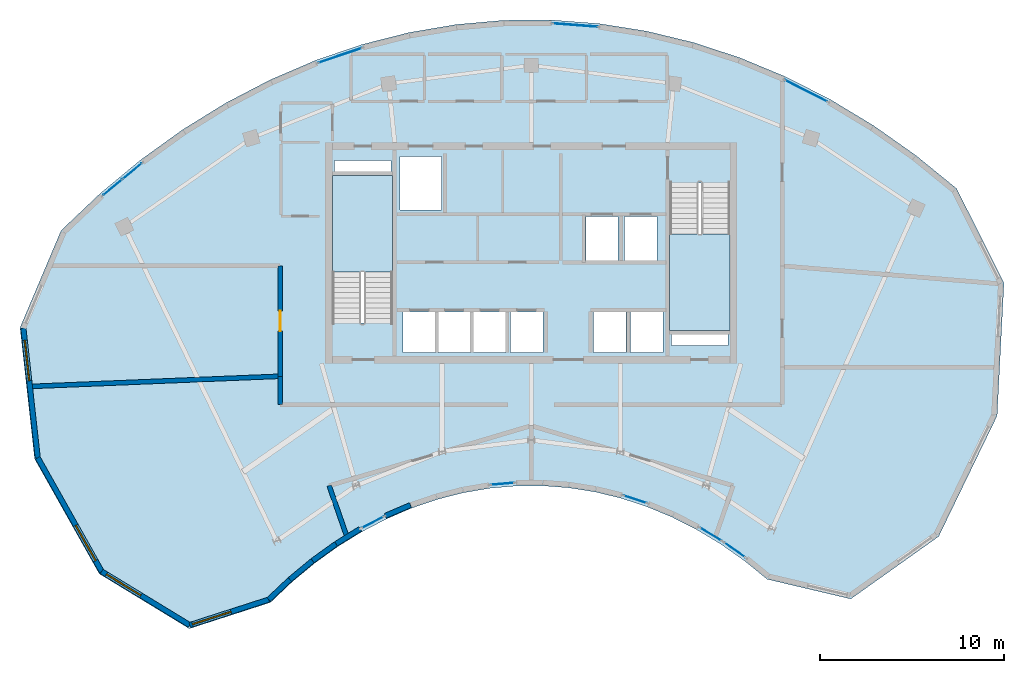
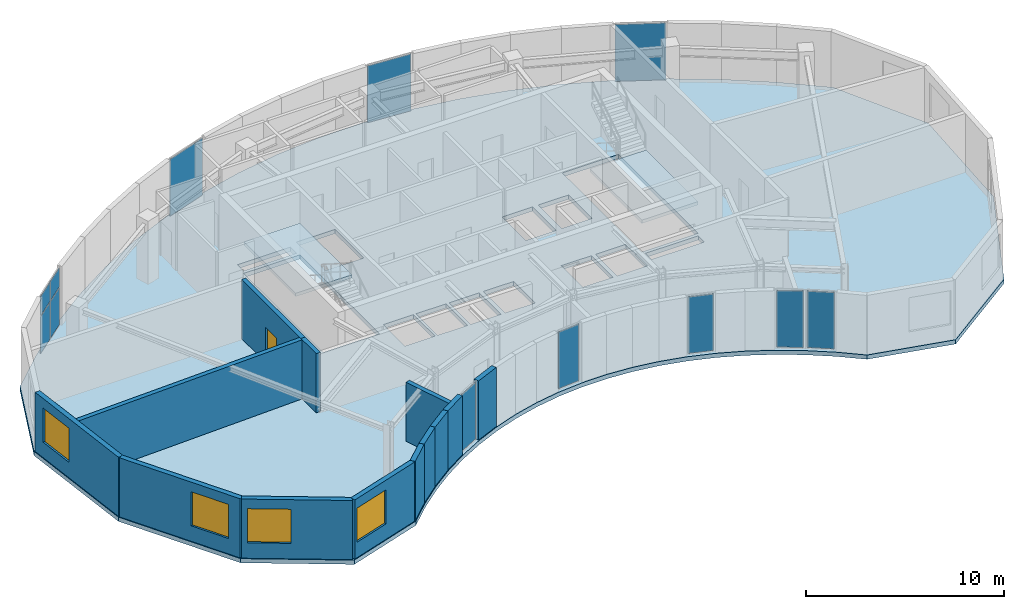
# One storey, part 4 of 9: 13 walls, 12 plates, 4 windows, 3 slabs, 1 door, 5 openings, 11 elements without a shape of their own.
"""IFC4 building model written with IfcOpenShell, lengths in metres."""

from ifc_helpers import new_model, si_unit, direction, frame, frame_2d, origin, origin_2d, place, context, subcontext, project, spatial, polyline, rectangle, outline, extrude, source, transform, mapped, material, layer, layer_set, type_object, type_shapes, element, fill, aggregate, save


model = new_model("IFC4")

# Units and contexts
model_context = context("Model", 3, precision=1e-05, world=origin(), true_north=direction((0.0, 1.0)))
body_context = subcontext(model_context, "Body", "Model", "MODEL_VIEW")
ifc_project = project(units=[si_unit("LENGTHUNIT", "METRE"), si_unit("AREAUNIT", "SQUARE_METRE"), si_unit("VOLUMEUNIT", "CUBIC_METRE"), si_unit("PLANEANGLEUNIT", "RADIAN"), si_unit("MASSUNIT", "GRAM", prefix="KILO")], contexts=[model_context])

# Site, building, storey
site_placement = place(None, origin())
site = spatial("IfcSite", under=ifc_project, at=site_placement, CompositionType="ELEMENT")
building_placement = place(site_placement, origin())
building = spatial("IfcBuilding", under=site, at=building_placement, Name="Breltana Convention Tower", CompositionType="ELEMENT")
storey_placement = place(building_placement, frame((0.0, 0.0, 295.199951171875)))
storey = spatial("IfcBuildingStorey", under=building, at=storey_placement, Name="L72", CompositionType="ELEMENT", Elevation=295.199951171875)

# Stair, slab
ifc_material_1 = material(Name="Concrete C40/50", Category="concrete")
stair_type = type_object("IfcStairType", Name="ST-DOG-1560-R177", PredefinedType="HALF_TURN_STAIR", material=ifc_material_1)
stair_1_placement = place(storey_placement, origin())
stair_1 = element("IfcStair", 1, at=stair_1_placement, inside=storey, type_object=stair_type, Name="L72 Protected Core Exit Stair ST-1", PredefinedType="HALF_TURN_STAIR")
ifc_layer_1 = layer(ifc_material_1, 0.199951171875, Name="Concrete C40/50")
ifc_layer_set_1 = layer_set([ifc_layer_1], Name="Concrete C40/50")
slab_type_1 = type_object("IfcSlabType", Name="SL-STAIR-LANDING-200", PredefinedType="LANDING", material=ifc_layer_set_1)
slab_1_placement = place(storey_placement, frame((0.0, 0.0, 1.75)))
slab_1 = element("IfcSlab", 2, at=slab_1_placement, type_object=slab_type_1, Name="ST-1 landing 1", PredefinedType="LANDING", context=body_context, shape_type="SweptSolid", body=[
    extrude(outline(polyline([(40.469970703125, 65.159912109375), (40.469970703125, 70.39990234375), (37.199951171875, 70.39990234375), (37.199951171875, 65.159912109375), (40.469970703125, 65.159912109375)])), origin(), (0.0, 0.0, 1.0), 0.199951171875),
])
aggregate(stair_1, [slab_1])

stair_2_placement = place(storey_placement, origin())
stair_2 = element("IfcStair", 3, at=stair_2_placement, inside=storey, type_object=stair_type, Name="L72 Protected Core Exit Stair ST-2", PredefinedType="HALF_TURN_STAIR")
slab_2_placement = place(storey_placement, frame((0.0, 0.0, 1.75)))
slab_2 = element("IfcSlab", 4, at=slab_2_placement, type_object=slab_type_1, Name="ST-2 landing 1", PredefinedType="LANDING", context=body_context, shape_type="SweptSolid", body=[
    extrude(outline(polyline([(55.530029296875, 67.239990234375), (55.530029296875, 62.0), (58.800048828125, 62.0), (58.800048828125, 67.239990234375), (55.530029296875, 67.239990234375)])), origin(), (0.0, 0.0, 1.0), 0.199951171875),
])
aggregate(stair_2, [slab_2])

# Slab
ifc_layer_2 = layer(ifc_material_1, 0.260009765625, Name="Concrete C40/50")
ifc_layer_set_2 = layer_set([ifc_layer_2], Name="Concrete C40/50")
slab_type_2 = type_object("IfcSlabType", Name="SL-UPP-260", PredefinedType="FLOOR", material=ifc_layer_set_2)
slab_3_placement = place(storey_placement, frame((0.0, 0.0, -0.260009765625)))
element("IfcSlab", 5, at=slab_3_placement, inside=storey, type_object=slab_type_2, Name="L72 Suspended Structural Floor Slab", PredefinedType="FLOOR", context=body_context, shape_type="SweptSolid", body=[
    extrude(outline(polyline([(71.119873046875, 69.7060546875), (68.9033203125, 71.50830078125), (66.60888671875, 73.126220703125), (64.244873046875, 74.552978515625), (61.8203125, 75.783935546875), (59.34423828125, 76.814208984375), (56.825927734375, 77.639892578125), (54.2744140625, 78.25830078125), (51.69970703125, 78.66650390625), (49.111083984375, 78.863525390625), (46.5185546875, 78.848388671875), (43.931396484375, 78.62109375), (41.359375, 78.1826171875), (38.81201171875, 77.53466796875), (36.29931640625, 76.679443359375), (33.829833984375, 75.620361328125), (31.41357421875, 74.361083984375), (29.058837890625, 72.906494140625), (26.77490234375, 71.26220703125), (24.5703125, 69.433837890625), (22.452880859375, 67.4287109375), (20.216796875, 62.142578125), (21.007080078125, 55.0126953125), (24.52197265625, 48.762451171875), (29.418701171875, 45.779296875), (33.827392578125, 47.202392578125), (35.001953125, 48.31494140625), (36.22509765625, 49.3291015625), (37.491943359375, 50.241455078125), (38.79833984375, 51.04833984375), (40.138916015625, 51.746826171875), (41.5087890625, 52.33447265625), (42.90283203125, 52.80908203125), (44.31591796875, 53.16845703125), (45.742919921875, 53.41162109375), (47.177978515625, 53.537841796875), (48.616455078125, 53.546142578125), (50.052490234375, 53.43701171875), (51.48095703125, 53.21044921875), (52.896240234375, 52.867431640625), (54.29345703125, 52.4091796875), (55.6669921875, 51.837646484375), (57.01220703125, 51.15478515625), (58.323486328125, 50.36328125), (59.5966796875, 49.4658203125), (60.826171875, 48.4658203125), (65.370849609375, 47.394775390625), (70.1455078125, 50.789306640625), (73.326416015625, 57.352783203125), (73.698486328125, 64.57861328125), (71.119873046875, 69.7060546875)]), holes=[polyline([(37.199951171875, 62.385009765625), (40.469970703125, 62.385009765625), (40.469970703125, 70.39990234375), (37.199951171875, 70.39990234375), (37.199951171875, 62.385009765625)]), polyline([(55.530029296875, 62.0), (58.800048828125, 62.0), (58.800048828125, 70.014892578125), (55.530029296875, 70.014892578125), (55.530029296875, 62.0)]), polyline([(41.0400390625, 60.800048828125), (42.800048828125, 60.800048828125), (42.800048828125, 62.97998046875), (41.0400390625, 62.97998046875), (41.0400390625, 60.800048828125)]), polyline([(42.93994140625, 60.800048828125), (44.699951171875, 60.800048828125), (44.699951171875, 62.97998046875), (42.93994140625, 62.97998046875), (42.93994140625, 60.800048828125)]), polyline([(44.8701171875, 60.800048828125), (46.6298828125, 60.800048828125), (46.6298828125, 62.97998046875), (44.8701171875, 62.97998046875), (44.8701171875, 60.800048828125)]), polyline([(46.8701171875, 60.800048828125), (48.6298828125, 60.800048828125), (48.6298828125, 62.97998046875), (46.8701171875, 62.97998046875), (46.8701171875, 60.800048828125)]), polyline([(51.39990234375, 60.800048828125), (53.159912109375, 60.800048828125), (53.159912109375, 62.97998046875), (51.39990234375, 62.97998046875), (51.39990234375, 60.800048828125)]), polyline([(53.39990234375, 60.800048828125), (55.159912109375, 60.800048828125), (55.159912109375, 62.97998046875), (53.39990234375, 62.97998046875), (53.39990234375, 60.800048828125)]), polyline([(50.969970703125, 65.800048828125), (52.72998046875, 65.800048828125), (52.72998046875, 68.179931640625), (50.969970703125, 68.179931640625), (50.969970703125, 65.800048828125)]), polyline([(53.070068359375, 65.800048828125), (54.830078125, 65.800048828125), (54.830078125, 68.179931640625), (53.070068359375, 68.179931640625), (53.070068359375, 65.800048828125)]), polyline([(40.8798828125, 68.550048828125), (43.1201171875, 68.550048828125), (43.1201171875, 71.449951171875), (40.8798828125, 71.449951171875), (40.8798828125, 68.550048828125)]), polyline([(37.300048828125, 70.60009765625), (40.3798828125, 70.60009765625), (40.3798828125, 71.219970703125), (37.300048828125, 71.219970703125), (37.300048828125, 70.60009765625)]), polyline([(55.6201171875, 61.179931640625), (58.699951171875, 61.179931640625), (58.699951171875, 61.800048828125), (55.6201171875, 61.800048828125), (55.6201171875, 61.179931640625)])]), origin(), (0.0, 0.0, 1.0), 0.260009765625),
])

# Curtain wall, plate
ifc_material_2 = material(Name="Aluminium Anodised Bronze Frame", Category="aluminium")
ifc_layer_3 = layer(ifc_material_2, 0.18994140625, Name="Aluminium Anodised Bronze Frame")
ifc_layer_set_3 = layer_set([ifc_layer_3], Name="Aluminium Anodised Bronze Frame")
curtain_wall_type_1 = type_object("IfcCurtainWallType", Name="CW-SYS-1", PredefinedType="NOTDEFINED", material=ifc_layer_set_3)
curtain_wall_1_placement = place(storey_placement, origin())
curtain_wall_1 = element("IfcCurtainWall", 6, at=curtain_wall_1_placement, inside=storey, type_object=curtain_wall_type_1, Name="L72 inner south-court glazing 1", PredefinedType="NOTDEFINED")
ifc_material_3 = material(Name="Glass Low-E Double Glazing", Category="glass")
ifc_layer_4 = layer(ifc_material_3, 0.028076171875, Name="Glass Low-E Double Glazing")
ifc_layer_set_4 = layer_set([ifc_layer_4], Name="Glass Low-E Double Glazing")
plate_type_1 = type_object("IfcPlateType", Name="CWP-IGU-28", PredefinedType="CURTAIN_PANEL", material=ifc_layer_set_4)
shared_shape_1 = source(origin(), body_context, "Body", "SweptSolid", [
    extrude(rectangle(XDim=1.3974609375, YDim=0.028076171875, at=origin_2d()), origin(), (0.0, 0.0, 1.0), 3.47998046875),
])
plate_1_placement = place(storey_placement, frame((59.063720703125, 50.0615234375, 0.080078125), z_axis=(0.0, 0.0, 1.0), x_axis=(-0.817327132857, 0.576173895534, 0.0)))
plate_1 = element("IfcPlate", 7, at=plate_1_placement, type_object=plate_type_1, Name="CW-01 panel 1.1", PredefinedType="CURTAIN_PANEL", context=body_context, shape_type="MappedRepresentation", body=[
    mapped(shared_shape_1, transform((0.0, 0.0, 0.0), scale=1.0)),
])
aggregate(curtain_wall_1, [plate_1])

curtain_wall_2_placement = place(storey_placement, origin())
curtain_wall_2 = element("IfcCurtainWall", 8, at=curtain_wall_2_placement, inside=storey, type_object=curtain_wall_type_1, Name="L72 inner south-court glazing 2", PredefinedType="NOTDEFINED")
shared_shape_2 = source(origin(), body_context, "Body", "SweptSolid", [
    extrude(rectangle(XDim=1.371826171875, YDim=0.028076171875, at=origin_2d()), origin(), (0.0, 0.0, 1.0), 3.47998046875),
])
plate_2_placement = place(storey_placement, frame((57.760986328125, 50.9130859375, 0.080078125), z_axis=(0.0, 0.0, 1.0), x_axis=(-0.856090059164, 0.516826673654, 0.0)))
plate_2 = element("IfcPlate", 9, at=plate_2_placement, type_object=plate_type_1, Name="CW-01 panel 1.1", PredefinedType="CURTAIN_PANEL", context=body_context, shape_type="MappedRepresentation", body=[
    mapped(shared_shape_2, transform((0.0, 0.0, 0.0), scale=1.0)),
])
aggregate(curtain_wall_2, [plate_2])

# Curtain wall, plates
ifc_layer_5 = layer(ifc_material_2, 0.22998046875, Name="Aluminium Anodised Bronze Frame")
ifc_layer_set_5 = layer_set([ifc_layer_5], Name="Aluminium Anodised Bronze Frame")
curtain_wall_type_2 = type_object("IfcCurtainWallType", Name="CW-SYS-5", PredefinedType="NOTDEFINED", material=ifc_layer_set_5)
curtain_wall_3_placement = place(storey_placement, origin())
curtain_wall_3 = element("IfcCurtainWall", 10, at=curtain_wall_3_placement, inside=storey, type_object=curtain_wall_type_2, Name="L72 outer double-skin inner glazing 1", PredefinedType="NOTDEFINED")
ifc_layer_6 = layer(ifc_material_3, 0.035888671875, Name="Glass Low-E Double Glazing")
ifc_layer_set_6 = layer_set([ifc_layer_6], Name="Glass Low-E Double Glazing")
plate_type_2 = type_object("IfcPlateType", Name="CWP-IGU-36", PredefinedType="CURTAIN_PANEL", material=ifc_layer_set_6)
shared_shape_3 = source(origin(), body_context, "Body", "SweptSolid", [
    extrude(rectangle(XDim=1.321044921875, YDim=0.035888671875, at=origin_2d()), origin(), (0.0, 0.0, 1.0), 2.260986328125),
])
plate_3_placement = place(storey_placement, frame((25.252197265625, 69.765380859375, 0.06982421875), z_axis=(0.0, 0.0, 1.0), x_axis=(0.76977098678, 0.638320160979, 0.0)))
plate_3 = element("IfcPlate", 11, at=plate_3_placement, type_object=plate_type_2, Name="CW-05 panel 1.1", PredefinedType="CURTAIN_PANEL", context=body_context, shape_type="MappedRepresentation", body=[
    mapped(shared_shape_3, transform((0.0, 0.0, 0.0), scale=1.0)),
])
plate_4_placement = place(storey_placement, frame((26.322998046875, 70.6533203125, 0.06982421875), z_axis=(0.0, 0.0, 1.0), x_axis=(0.76977098678, 0.638320160979, 0.0)))
plate_4 = element("IfcPlate", 12, at=plate_4_placement, type_object=plate_type_2, Name="CW-05 panel 2.1", PredefinedType="CURTAIN_PANEL", context=body_context, shape_type="MappedRepresentation", body=[
    mapped(shared_shape_3, transform((0.0, 0.0, 0.0), scale=1.0)),
])
shared_shape_4 = source(origin(), body_context, "Body", "SweptSolid", [
    extrude(rectangle(XDim=1.321044921875, YDim=0.035888671875, at=origin_2d()), origin(), (0.0, 0.0, 1.0), 1.1689453125),
])
plate_5_placement = place(storey_placement, frame((25.252197265625, 69.765380859375, 2.401123046875), z_axis=(0.0, 0.0, 1.0), x_axis=(0.76977098678, 0.638320160979, 0.0)))
plate_5 = element("IfcPlate", 13, at=plate_5_placement, type_object=plate_type_2, Name="CW-05 panel 1.2", PredefinedType="CURTAIN_PANEL", context=body_context, shape_type="MappedRepresentation", body=[
    mapped(shared_shape_4, transform((0.0, 0.0, 0.0), scale=1.0)),
])
plate_6_placement = place(storey_placement, frame((26.322998046875, 70.6533203125, 2.401123046875), z_axis=(0.0, 0.0, 1.0), x_axis=(0.76977098678, 0.638320160979, 0.0)))
plate_6 = element("IfcPlate", 14, at=plate_6_placement, type_object=plate_type_2, Name="CW-05 panel 2.2", PredefinedType="CURTAIN_PANEL", context=body_context, shape_type="MappedRepresentation", body=[
    mapped(shared_shape_4, transform((0.0, 0.0, 0.0), scale=1.0)),
])
aggregate(curtain_wall_3, [plate_3, plate_5, plate_4, plate_6])

# Curtain wall, plate
curtain_wall_4_placement = place(storey_placement, origin())
curtain_wall_4 = element("IfcCurtainWall", 15, at=curtain_wall_4_placement, inside=storey, type_object=curtain_wall_type_1, Name="L72 inner south-court glazing 3", PredefinedType="NOTDEFINED")
shared_shape_5 = source(origin(), body_context, "Body", "SweptSolid", [
    extrude(rectangle(XDim=1.310302734375, YDim=0.028076171875, at=origin_2d()), origin(), (0.0, 0.0, 1.0), 3.47998046875),
])
plate_7_placement = place(storey_placement, frame((53.65087890625, 52.809326171875, 0.080078125), z_axis=(0.0, 0.0, 1.0), x_axis=(-0.95022921091, 0.311551675865, 0.0)))
plate_7 = element("IfcPlate", 16, at=plate_7_placement, type_object=plate_type_1, Name="CW-01 panel 1.1", PredefinedType="CURTAIN_PANEL", context=body_context, shape_type="MappedRepresentation", body=[
    mapped(shared_shape_5, transform((0.0, 0.0, 0.0), scale=1.0)),
])
aggregate(curtain_wall_4, [plate_7])

curtain_wall_5_placement = place(storey_placement, origin())
curtain_wall_5 = element("IfcCurtainWall", 17, at=curtain_wall_5_placement, inside=storey, type_object=curtain_wall_type_1, Name="L72 inner south-court glazing 4", PredefinedType="NOTDEFINED")
shared_shape_6 = source(origin(), body_context, "Body", "SweptSolid", [
    extrude(rectangle(XDim=1.28076171875, YDim=0.028076171875, at=origin_2d()), origin(), (0.0, 0.0, 1.0), 3.47998046875),
])
plate_8_placement = place(storey_placement, frame((46.444580078125, 53.654052734375, 0.080078125), z_axis=(0.0, 0.0, 1.0), x_axis=(-0.996162843491, -0.087519079336, 0.0)))
plate_8 = element("IfcPlate", 18, at=plate_8_placement, type_object=plate_type_1, Name="CW-01 panel 1.1", PredefinedType="CURTAIN_PANEL", context=body_context, shape_type="MappedRepresentation", body=[
    mapped(shared_shape_6, transform((0.0, 0.0, 0.0), scale=1.0)),
])
aggregate(curtain_wall_5, [plate_8])

curtain_wall_6_placement = place(storey_placement, origin())
curtain_wall_6 = element("IfcCurtainWall", 19, at=curtain_wall_6_placement, inside=storey, type_object=curtain_wall_type_1, Name="L72 inner south-court glazing 5", PredefinedType="NOTDEFINED")
shared_shape_7 = source(origin(), body_context, "Body", "SweptSolid", [
    extrude(rectangle(XDim=1.3515625, YDim=0.028076171875, at=origin_2d()), origin(), (0.0, 0.0, 1.0), 3.47998046875),
])
plate_9_placement = place(storey_placement, frame((39.38525390625, 51.55712890625, 0.080078125), z_axis=(0.0, 0.0, 1.0), x_axis=(-0.886826544842, -0.462102455484, 0.0)))
plate_9 = element("IfcPlate", 20, at=plate_9_placement, type_object=plate_type_1, Name="CW-01 panel 1.1", PredefinedType="CURTAIN_PANEL", context=body_context, shape_type="MappedRepresentation", body=[
    mapped(shared_shape_7, transform((0.0, 0.0, 0.0), scale=1.0)),
])
aggregate(curtain_wall_6, [plate_9])

curtain_wall_7_placement = place(storey_placement, origin())
curtain_wall_7 = element("IfcCurtainWall", 21, at=curtain_wall_7_placement, inside=storey, type_object=curtain_wall_type_2, Name="L72 outer double-skin inner glazing 2", PredefinedType="NOTDEFINED")
shared_shape_8 = source(origin(), body_context, "Body", "SweptSolid", [
    extrude(rectangle(XDim=2.50048828125, YDim=0.035888671875, at=origin_2d()), origin(), (0.0, 0.0, 1.0), 3.5),
])
plate_10_placement = place(storey_placement, frame((37.613525390625, 76.9365234375, 0.070068359375), z_axis=(0.0, 0.0, 1.0), x_axis=(0.946676206654, 0.322186529445, 0.0)))
plate_10 = element("IfcPlate", 22, at=plate_10_placement, type_object=plate_type_2, Name="CW-05 panel 1.1", PredefinedType="CURTAIN_PANEL", context=body_context, shape_type="MappedRepresentation", body=[
    mapped(shared_shape_8, transform((0.0, 0.0, 0.0), scale=1.0)),
])
aggregate(curtain_wall_7, [plate_10])

curtain_wall_8_placement = place(storey_placement, origin())
curtain_wall_8 = element("IfcCurtainWall", 23, at=curtain_wall_8_placement, inside=storey, type_object=curtain_wall_type_2, Name="L72 outer double-skin inner glazing 3", PredefinedType="NOTDEFINED")
shared_shape_9 = source(origin(), body_context, "Body", "SweptSolid", [
    extrude(rectangle(XDim=2.44140625, YDim=0.035888671875, at=origin_2d()), origin(), (0.0, 0.0, 1.0), 3.5),
])
plate_11_placement = place(storey_placement, frame((50.391845703125, 78.58544921875, 0.070068359375), z_axis=(0.0, 0.0, 1.0), x_axis=(0.99711614311, -0.075890692114, 0.0)))
plate_11 = element("IfcPlate", 24, at=plate_11_placement, type_object=plate_type_2, Name="CW-05 panel 1.1", PredefinedType="CURTAIN_PANEL", context=body_context, shape_type="MappedRepresentation", body=[
    mapped(shared_shape_9, transform((0.0, 0.0, 0.0), scale=1.0)),
])
aggregate(curtain_wall_8, [plate_11])

curtain_wall_9_placement = place(storey_placement, origin())
curtain_wall_9 = element("IfcCurtainWall", 25, at=curtain_wall_9_placement, inside=storey, type_object=curtain_wall_type_2, Name="L72 outer double-skin inner glazing 4", PredefinedType="NOTDEFINED")
shared_shape_10 = source(origin(), body_context, "Body", "SweptSolid", [
    extrude(rectangle(XDim=2.565673828125, YDim=0.035888671875, at=origin_2d()), origin(), (0.0, 0.0, 1.0), 3.5),
])
plate_12_placement = place(storey_placement, frame((62.951171875, 75.0078125, 0.070068359375), z_axis=(0.0, 0.0, 1.0), x_axis=(0.891667916879, -0.452690099305, 0.0)))
plate_12 = element("IfcPlate", 26, at=plate_12_placement, type_object=plate_type_2, Name="CW-05 panel 1.1", PredefinedType="CURTAIN_PANEL", context=body_context, shape_type="MappedRepresentation", body=[
    mapped(shared_shape_10, transform((0.0, 0.0, 0.0), scale=1.0)),
])
aggregate(curtain_wall_9, [plate_12])

# Walls
ifc_material_4 = material(Name="Limestone Buff Insulated Wall", Category="masonry")
ifc_layer_7 = layer(ifc_material_4, 0.280029296875, Name="Limestone Buff Insulated Wall")
ifc_layer_set_7 = layer_set([ifc_layer_7], Name="Limestone Buff Insulated Wall")
wall_type_1 = type_object("IfcWallType", Name="WL-EXT-NOSE-280", PredefinedType="SOLIDWALL", material=ifc_layer_set_7)
shared_shape_11 = source(origin(), body_context, "Body", "SweptSolid", [
    extrude(rectangle(XDim=1.490478515625, YDim=0.280029296875, at=frame_2d((0.7451171875, 0.0))), origin(), (0.0, 0.0, 1.0), 3.64013671875),
])
wall_1_placement = place(storey_placement, frame((41.437744140625, 52.5, 0.0), z_axis=(0.0, 0.0, 1.0), x_axis=(-0.919009427656, -0.394235553799, 0.0)))
element("IfcWall", 27, at=wall_1_placement, inside=storey, type_object=wall_type_1, Name="L72 curved limestone nose wall E16", PredefinedType="SOLIDWALL", context=body_context, shape_type="MappedRepresentation", body=[
    mapped(shared_shape_11, transform((0.0, 0.0, 0.0), scale=1.0)),
])
shared_shape_12 = source(origin(), body_context, "Body", "SweptSolid", [
    extrude(rectangle(XDim=1.56103515625, YDim=0.280029296875, at=frame_2d((0.780517578125, 0.0))), origin(), (0.0, 0.0, 1.0), 3.64013671875),
])
wall_2_placement = place(storey_placement, frame((37.38671875, 50.387451171875, 0.0), z_axis=(0.0, 0.0, 1.0), x_axis=(-0.81154027425, -0.584296485758, 0.0)))
element("IfcWall", 28, at=wall_2_placement, inside=storey, type_object=wall_type_1, Name="L72 curved limestone nose wall E18", PredefinedType="SOLIDWALL", context=body_context, shape_type="MappedRepresentation", body=[
    mapped(shared_shape_12, transform((0.0, 0.0, 0.0), scale=1.0)),
])
shared_shape_13 = source(origin(), body_context, "Body", "SweptSolid", [
    extrude(rectangle(XDim=1.5888671875, YDim=0.280029296875, at=frame_2d((0.79443359375, 0.0))), origin(), (0.0, 0.0, 1.0), 3.64013671875),
])
wall_3_placement = place(storey_placement, frame((36.110107421875, 49.4677734375, 0.0), z_axis=(0.0, 0.0, 1.0), x_axis=(-0.769805836273, -0.63827813251, 0.0)))
element("IfcWall", 29, at=wall_3_placement, inside=storey, type_object=wall_type_1, Name="L72 curved limestone nose wall E19", PredefinedType="SOLIDWALL", context=body_context, shape_type="MappedRepresentation", body=[
    mapped(shared_shape_13, transform((0.0, 0.0, 0.0), scale=1.0)),
])
shared_shape_14 = source(origin(), body_context, "Body", "SweptSolid", [
    extrude(rectangle(XDim=1.576904296875, YDim=0.280029296875, at=frame_2d((0.78857421875, 0.0))), origin(), (0.0, 0.0, 1.0), 3.64013671875),
])
wall_4_placement = place(storey_placement, frame((34.878173828125, 48.445556640625, 0.0), z_axis=(0.0, 0.0, 1.0), x_axis=(-0.726119464467, -0.687568558998, 0.0)))
element("IfcWall", 30, at=wall_4_placement, inside=storey, type_object=wall_type_1, Name="L72 curved limestone nose wall W1", PredefinedType="SOLIDWALL", context=body_context, shape_type="MappedRepresentation", body=[
    mapped(shared_shape_14, transform((0.0, 0.0, 0.0), scale=1.0)),
])

# Wall, opening, window
shared_shape_15 = source(origin(), body_context, "Body", "SweptSolid", [
    extrude(rectangle(XDim=4.50927734375, YDim=0.280029296875, at=frame_2d((2.254638671875, 0.0))), origin(), (0.0, 0.0, 1.0), 3.64013671875),
])
wall_5_placement = place(storey_placement, frame((33.733154296875, 47.361328125, 0.0), z_axis=(0.0, 0.0, 1.0), x_axis=(-0.95162949292, -0.307247958828, 0.0)))
wall_5 = element("IfcWall", 31, at=wall_5_placement, inside=storey, type_object=wall_type_1, Name="L72 curved limestone nose wall W2", PredefinedType="SOLIDWALL", context=body_context, shape_type="MappedRepresentation", body=[
    mapped(shared_shape_15, transform((0.0, 0.0, 0.0), scale=1.0)),
])
opening_1_placement = place(wall_5_placement, frame((2.1494140625, 0.0, 0.949951171875)))
opening_1 = element("IfcOpeningElement", 32, at=opening_1_placement, cuts=wall_5, Name="Opening W-03", PredefinedType="OPENING", context=body_context, shape_type="SweptSolid", body=[
    extrude(rectangle(XDim=2.199951171875, YDim=2.10009765625, at=frame_2d((1.10009765625, 1.050048828125))), frame((0.0, 0.14990234375, 0.0), z_axis=(0.0, -1.0, 0.0), x_axis=(1.0, 0.0, 0.0)), (0.0, 0.0, 1.0), 0.300048828125),
])
ifc_material_5 = material(Name="Glass Low-E Insulated Window", Category="glass")
window_type = type_object("IfcWindowType", Name="WN-NOSE-2200X2100", PartitioningType="TRIPLE_PANEL_VERTICAL", PredefinedType="WINDOW", material=ifc_material_5)
shared_shape_16 = source(origin(), body_context, "Body", "SweptSolid", [
    extrude(rectangle(XDim=2.199951171875, YDim=2.10009765625, at=frame_2d((1.10009765625, 1.050048828125))), frame((0.0, 0.030029296875, 0.0), z_axis=(0.0, -1.0, 0.0), x_axis=(1.0, 0.0, 0.0)), (0.0, 0.0, 1.0), 0.06005859375),
])
type_shapes(window_type, [shared_shape_16])
window_1_placement = place(opening_1_placement, origin())
window_1 = element("IfcWindow", 33, at=window_1_placement, inside=storey, type_object=window_type, Name="L72 nose window W2", OverallHeight=2.10009765625, OverallWidth=2.199951171875, PartitioningType="TRIPLE_PANEL_VERTICAL", PredefinedType="WINDOW", context=body_context, shape_type="MappedRepresentation", body=[
    mapped(shared_shape_16, transform((0.0, 0.0, 0.0), scale=1.0)),
])
fill(opening_1, window_1)

shared_shape_17 = source(origin(), body_context, "Body", "SweptSolid", [
    extrude(rectangle(XDim=5.604248046875, YDim=0.280029296875, at=frame_2d((2.80224609375, 0.0))), origin(), (0.0, 0.0, 1.0), 3.64013671875),
])
wall_6_placement = place(storey_placement, frame((29.44189453125, 45.975830078125, 0.0), z_axis=(0.0, 0.0, 1.0), x_axis=(-0.854002492971, 0.520268913158, 0.0)))
wall_6 = element("IfcWall", 34, at=wall_6_placement, inside=storey, type_object=wall_type_1, Name="L72 curved limestone nose wall W3", PredefinedType="SOLIDWALL", context=body_context, shape_type="MappedRepresentation", body=[
    mapped(shared_shape_17, transform((0.0, 0.0, 0.0), scale=1.0)),
])
opening_2_placement = place(wall_6_placement, frame((3.103271484375, 0.0, 0.949951171875)))
opening_2 = element("IfcOpeningElement", 35, at=opening_2_placement, cuts=wall_6, Name="Opening W-03", PredefinedType="OPENING", context=body_context, shape_type="SweptSolid", body=[
    extrude(rectangle(XDim=2.199951171875, YDim=2.10009765625, at=frame_2d((1.10009765625, 1.050048828125))), frame((0.0, 0.14990234375, 0.0), z_axis=(0.0, -1.0, 0.0), x_axis=(1.0, 0.0, 0.0)), (0.0, 0.0, 1.0), 0.300048828125),
])
window_2_placement = place(opening_2_placement, origin())
window_2 = element("IfcWindow", 36, at=window_2_placement, inside=storey, type_object=window_type, Name="L72 nose window W3", OverallHeight=2.10009765625, OverallWidth=2.199951171875, PartitioningType="TRIPLE_PANEL_VERTICAL", PredefinedType="WINDOW", context=body_context, shape_type="MappedRepresentation", body=[
    mapped(shared_shape_16, transform((0.0, 0.0, 0.0), scale=1.0)),
])
fill(opening_2, window_2)

shared_shape_18 = source(origin(), body_context, "Body", "SweptSolid", [
    extrude(rectangle(XDim=7.087158203125, YDim=0.280029296875, at=frame_2d((3.54345703125, 0.0))), origin(), (0.0, 0.0, 1.0), 3.64013671875),
])
wall_7_placement = place(storey_placement, frame((24.65576171875, 48.8916015625, 0.0), z_axis=(0.0, 0.0, 1.0), x_axis=(-0.490158199368, 0.871633489256, 0.0)))
wall_7 = element("IfcWall", 37, at=wall_7_placement, inside=storey, type_object=wall_type_1, Name="L72 curved limestone nose wall W4", PredefinedType="SOLIDWALL", context=body_context, shape_type="MappedRepresentation", body=[
    mapped(shared_shape_18, transform((0.0, 0.0, 0.0), scale=1.0)),
])
opening_3_placement = place(wall_7_placement, frame((0.671875, 0.0, 0.949951171875)))
opening_3 = element("IfcOpeningElement", 38, at=opening_3_placement, cuts=wall_7, Name="Opening W-03", PredefinedType="OPENING", context=body_context, shape_type="SweptSolid", body=[
    extrude(rectangle(XDim=2.199951171875, YDim=2.10009765625, at=frame_2d((1.10009765625, 1.050048828125))), frame((0.0, 0.14990234375, 0.0), z_axis=(0.0, -1.0, 0.0), x_axis=(1.0, 0.0, 0.0)), (0.0, 0.0, 1.0), 0.300048828125),
])
window_3_placement = place(opening_3_placement, origin())
window_3 = element("IfcWindow", 39, at=window_3_placement, inside=storey, type_object=window_type, Name="L72 nose window W4", OverallHeight=2.10009765625, OverallWidth=2.199951171875, PartitioningType="TRIPLE_PANEL_VERTICAL", PredefinedType="WINDOW", context=body_context, shape_type="MappedRepresentation", body=[
    mapped(shared_shape_16, transform((0.0, 0.0, 0.0), scale=1.0)),
])
fill(opening_3, window_3)

shared_shape_19 = source(origin(), body_context, "Body", "SweptSolid", [
    extrude(rectangle(XDim=7.08984375, YDim=0.280029296875, at=frame_2d((3.544921875, 0.0))), origin(), (0.0, 0.0, 1.0), 3.64013671875),
])
wall_8_placement = place(storey_placement, frame((21.181884765625, 55.069091796875, 0.0), z_axis=(0.0, 0.0, 1.0), x_axis=(-0.110159396922, 0.993913933532, 0.0)))
wall_8 = element("IfcWall", 40, at=wall_8_placement, inside=storey, type_object=wall_type_1, Name="L72 curved limestone nose wall W5", PredefinedType="SOLIDWALL", context=body_context, shape_type="MappedRepresentation", body=[
    mapped(shared_shape_19, transform((0.0, 0.0, 0.0), scale=1.0)),
])
opening_4_placement = place(wall_8_placement, frame((4.21728515625, 0.0, 0.949951171875)))
opening_4 = element("IfcOpeningElement", 41, at=opening_4_placement, cuts=wall_8, Name="Opening W-03", PredefinedType="OPENING", context=body_context, shape_type="SweptSolid", body=[
    extrude(rectangle(XDim=2.199951171875, YDim=2.10009765625, at=frame_2d((1.10009765625, 1.050048828125))), frame((0.0, 0.14990234375, 0.0), z_axis=(0.0, -1.0, 0.0), x_axis=(1.0, 0.0, 0.0)), (0.0, 0.0, 1.0), 0.300048828125),
])
window_4_placement = place(opening_4_placement, origin())
window_4 = element("IfcWindow", 42, at=window_4_placement, inside=storey, type_object=window_type, Name="L72 nose window W5", OverallHeight=2.10009765625, OverallWidth=2.199951171875, PartitioningType="TRIPLE_PANEL_VERTICAL", PredefinedType="WINDOW", context=body_context, shape_type="MappedRepresentation", body=[
    mapped(shared_shape_16, transform((0.0, 0.0, 0.0), scale=1.0)),
])
fill(opening_4, window_4)

# Walls
shared_shape_20 = source(origin(), body_context, "Body", "SweptSolid", [
    extrude(rectangle(XDim=1.535400390625, YDim=0.280029296875, at=frame_2d((0.767578125, 0.0))), origin(), (0.0, 0.0, 1.0), 3.64013671875),
])
wall_9_placement = place(storey_placement, frame((38.70361328125, 51.201416015625, 0.0), z_axis=(0.0, 0.0, 1.0), x_axis=(-0.850756173541, -0.525560589449, 0.0)))
element("IfcWall", 43, at=wall_9_placement, inside=storey, type_object=wall_type_1, Name="L72 curved limestone nose wall E17", PredefinedType="SOLIDWALL", context=body_context, shape_type="MappedRepresentation", body=[
    mapped(shared_shape_20, transform((0.0, 0.0, 0.0), scale=1.0)),
])
ifc_material_6 = material(Name="Gypsum Acoustic Double Stud Wall")
ifc_layer_8 = layer(ifc_material_6, 0.25, Name="Gypsum Acoustic Double Stud Wall")
ifc_layer_set_8 = layer_set([ifc_layer_8], Name="Gypsum Acoustic Double Stud Wall")
wall_type_2 = type_object("IfcWallType", Name="WL-ACOUSTIC-250", PredefinedType="PARTITIONING", material=ifc_layer_set_8)
shared_shape_21 = source(origin(), body_context, "Body", "SweptSolid", [
    extrude(rectangle(XDim=2.94384765625, YDim=0.25, at=frame_2d((1.471923828125, 0.0))), origin(), (0.0, 0.0, 1.0), 3.64013671875),
])
wall_10_placement = place(storey_placement, frame((37.98779296875, 50.77099609375, 0.0), z_axis=(0.0, 0.0, 1.0), x_axis=(-0.328565655286, 0.944481132774, 0.0)))
element("IfcWall", 44, at=wall_10_placement, inside=storey, type_object=wall_type_2, Name="L72 interior partition W-L72-ES1-RA", PredefinedType="PARTITIONING", context=body_context, shape_type="MappedRepresentation", body=[
    mapped(shared_shape_21, transform((0.0, 0.0, 0.0), scale=1.0)),
])
shared_shape_22 = source(origin(), body_context, "Body", "SweptSolid", [
    extrude(rectangle(XDim=13.4990234375, YDim=0.25, at=frame_2d((6.74951171875, 0.0))), origin(), (0.0, 0.0, 1.0), 3.64013671875),
])
wall_11_placement = place(storey_placement, frame((20.872314453125, 58.950927734375, 0.0), z_axis=(0.0, 0.0, 1.0), x_axis=(0.999172424054, 0.04067513995, 0.0)))
element("IfcWall", 45, at=wall_11_placement, inside=storey, type_object=wall_type_2, Name="L72 interior partition W-L72-EXW1-N", PredefinedType="PARTITIONING", context=body_context, shape_type="MappedRepresentation", body=[
    mapped(shared_shape_22, transform((0.0, 0.0, 0.0), scale=1.0)),
])
shared_shape_23 = source(origin(), body_context, "Body", "SweptSolid", [
    extrude(rectangle(XDim=1.5400390625, YDim=0.25, at=frame_2d((0.77001953125, 0.0))), origin(), (0.0, 0.0, 1.0), 3.64013671875),
])
wall_12_placement = place(storey_placement, frame((34.360107421875, 57.9599609375, 0.0), z_axis=(0.0, 0.0, 1.0), x_axis=(0.0, 1.0, 0.0)))
element("IfcWall", 46, at=wall_12_placement, inside=storey, type_object=wall_type_2, Name="L72 interior partition W-L72-EXW1-ENT", PredefinedType="PARTITIONING", context=body_context, shape_type="MappedRepresentation", body=[
    mapped(shared_shape_23, transform((0.0, 0.0, 0.0), scale=1.0)),
])

# Wall, opening, door
shared_shape_24 = source(origin(), body_context, "Body", "SweptSolid", [
    extrude(rectangle(XDim=6.0, YDim=0.25, at=frame_2d((3.0, 0.0))), origin(), (0.0, 0.0, 1.0), 3.64013671875),
])
wall_13_placement = place(storey_placement, frame((34.360107421875, 59.5, 0.0), z_axis=(0.0, 0.0, 1.0), x_axis=(0.0, 1.0, 0.0)))
wall_13 = element("IfcWall", 47, at=wall_13_placement, inside=storey, type_object=wall_type_2, Name="L72 interior partition W-L72-EXW2-ENT", PredefinedType="PARTITIONING", context=body_context, shape_type="MappedRepresentation", body=[
    mapped(shared_shape_24, transform((0.0, 0.0, 0.0), scale=1.0)),
])
opening_5_placement = place(wall_13_placement, frame((2.449951171875, 0.0, 0.0)))
opening_5 = element("IfcOpeningElement", 48, at=opening_5_placement, cuts=wall_13, Name="Opening D-12", PredefinedType="OPENING", context=body_context, shape_type="SweptSolid", body=[
    extrude(rectangle(XDim=1.10009765625, YDim=2.14990234375, at=frame_2d((0.550048828125, 1.074951171875))), frame((0.0, 0.135009765625, 0.0), z_axis=(0.0, -1.0, 0.0), x_axis=(1.0, 0.0, 0.0)), (0.0, 0.0, 1.0), 0.27001953125),
])
ifc_material_7 = material(Name="Timber Oak Acoustic Door", Category="wood")
door_type = type_object("IfcDoorType", Name="DR-INT-1100", OperationType="NOTDEFINED", PredefinedType="DOOR", material=ifc_material_7)
shared_shape_25 = source(origin(), body_context, "Body", "SweptSolid", [
    extrude(rectangle(XDim=1.10009765625, YDim=2.14990234375, at=frame_2d((0.550048828125, 1.074951171875))), frame((0.0, 0.02490234375, 0.0), z_axis=(0.0, -1.0, 0.0), x_axis=(1.0, 0.0, 0.0)), (0.0, 0.0, 1.0), 0.050048828125),
])
type_shapes(door_type, [shared_shape_25])
door_placement = place(opening_5_placement, origin())
door = element("IfcDoor", 49, at=door_placement, inside=storey, type_object=door_type, Name="L72 interior door D-L72-EXW2", OperationType="SINGLE_SWING_LEFT", OverallHeight=2.14990234375, OverallWidth=1.10009765625, PredefinedType="DOOR", context=body_context, shape_type="MappedRepresentation", body=[
    mapped(shared_shape_25, transform((0.0, 0.0, 0.0), scale=1.0)),
])
fill(opening_5, door)

save(model, "model.ifc")
